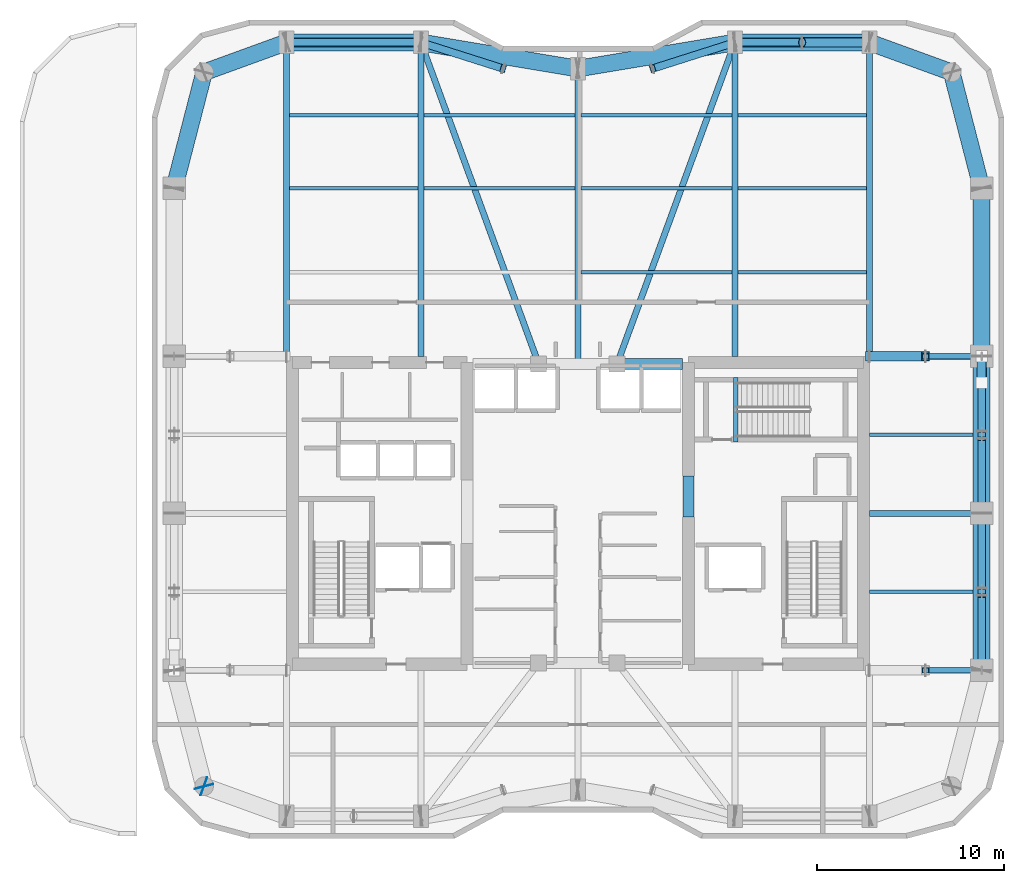
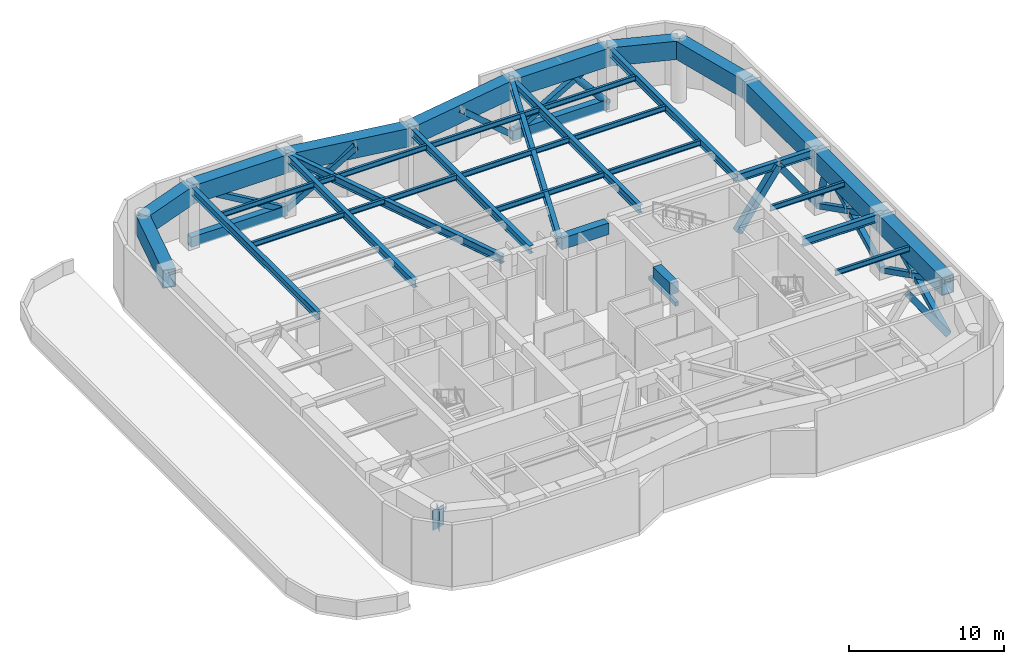
# One storey, part 2 of 16: 35 beams, 17 members, 2 plates.
"""IFC4 building model written with IfcOpenShell, lengths in metres."""

from ifc_helpers import new_model, si_unit, direction, frame, origin, origin_2d, place, context, subcontext, project, spatial, rectangle, hollow_rectangle, hollow_circle, i_section, extrude, material, layer, layer_set, material_profile, profile_set, type_object, element, save


model = new_model("IFC4")

# Units and contexts
model_context = context("Model", 3, precision=1e-05, world=origin(), true_north=direction((0.0, 1.0)))
body_context = subcontext(model_context, "Body", "Model", "MODEL_VIEW")
ifc_project = project(units=[si_unit("LENGTHUNIT", "METRE"), si_unit("AREAUNIT", "SQUARE_METRE"), si_unit("VOLUMEUNIT", "CUBIC_METRE"), si_unit("PLANEANGLEUNIT", "RADIAN"), si_unit("MASSUNIT", "GRAM", prefix="KILO")], contexts=[model_context])

# Site, building, storey
site_placement = place(None, origin())
site = spatial("IfcSite", under=ifc_project, at=site_placement, CompositionType="ELEMENT")
building_placement = place(site_placement, origin())
building = spatial("IfcBuilding", under=site, at=building_placement, Name="Kiyonajd Concourse Tower", CompositionType="ELEMENT")
storey_placement = place(building_placement, frame((0.0, 0.0, 209.699951171875)))
storey = spatial("IfcBuildingStorey", under=building, at=storey_placement, Name="L53", CompositionType="ELEMENT", Elevation=209.699951171875)

# Beams
ifc_material_1 = material(Name="Concrete C60/75", Category="concrete")
ifc_material_profile_1 = material_profile(ifc_material_1, rectangle(XDim=0.60009765625, YDim=0.89990234375, at=origin_2d()), Name="RCBM-600x900")
ifc_profile_set_1 = profile_set([ifc_material_profile_1], Name="Concrete C60/75")
beam_type_1 = type_object("IfcBeamType", Name="BM-COUP-900", PredefinedType="LINTEL", material=ifc_profile_set_1)
beam_1_placement = place(storey_placement, frame((50.10009765625, 44.0, 4.429931640625), z_axis=(1.0, 0.0, 0.0), x_axis=(0.0, 1.0, 0.0)))
element("IfcBeam", 1, at=beam_1_placement, inside=storey, type_object=beam_type_1, Name="L53 Core Coupling Beam N3", PredefinedType="LINTEL", context=body_context, shape_type="SweptSolid", body=[
    extrude(rectangle(XDim=0.60009765625, YDim=0.89990234375, at=origin_2d()), origin(), (0.0, 0.0, 1.0), 3.5),
])
beam_2_placement = place(storey_placement, frame((53.925048828125, 35.800048828125, 4.429931640625), z_axis=(0.0, 1.0, 0.0), x_axis=(-1.0, 0.0, 0.0)))
element("IfcBeam", 2, at=beam_2_placement, inside=storey, type_object=beam_type_1, Name="L53 East Core Throat Coupling Lintel", PredefinedType="LINTEL", context=body_context, shape_type="SweptSolid", body=[
    extrude(rectangle(XDim=0.60009765625, YDim=0.89990234375, at=origin_2d()), origin(), (0.0, 0.0, 1.0), 2.199951171875),
])
ifc_material_2 = material(Name="Steel ASTM A992 Grade 50", Category="steel")
ifc_material_profile_2 = material_profile(ifc_material_2, i_section(OverallWidth=0.180908203125, OverallDepth=0.4169921875, WebThickness=0.010986328125, FlangeThickness=0.018310546875, at=origin_2d()), Name="W410X85")
ifc_profile_set_2 = profile_set([ifc_material_profile_2], Name="Steel ASTM A992 Grade 50")
beam_type_2 = type_object("IfcBeamType", Name="BM-JST-410", PredefinedType="JOIST", material=ifc_profile_set_2)
beam_3_placement = place(storey_placement, frame((48.162109375, 48.89990234375, 4.671630859375), z_axis=(1.0, 0.0, 0.0), x_axis=(0.0, 1.0, 0.0)))
element("IfcBeam", 3, at=beam_3_placement, inside=storey, type_object=beam_type_2, Name="L53 Secondary Floor Joist", PredefinedType="JOIST", context=body_context, shape_type="SweptSolid", body=[
    extrude(i_section(OverallWidth=0.180908203125, OverallDepth=0.4169921875, WebThickness=0.010986328125, FlangeThickness=0.018310546875, at=origin_2d()), origin(), (0.0, 0.0, 1.0), 8.075927734375),
])
for number, where, z_axis, x_axis, name in (
    (4, (56.56201171875, 48.89990234375, 4.671630859375), (1.0, 0.0, 0.0), (0.0, 1.0, 0.0), "L53 Secondary Floor Joist"),
    (5, (32.56201171875, 53.39990234375, 4.671630859375), (1.0, 0.0, 0.0), (0.0, 1.0, 0.0), "L53 Secondary Floor Joist"),
):
    element("IfcBeam", number, at=place(storey_placement, frame(where, z_axis=z_axis, x_axis=x_axis)), inside=storey, type_object=beam_type_2, Name=name, PredefinedType="JOIST", context=body_context, shape_type="SweptSolid", body=[
        extrude(i_section(OverallWidth=0.180908203125, OverallDepth=0.4169921875, WebThickness=0.010986328125, FlangeThickness=0.018310546875, at=origin_2d()), origin(), (0.0, 0.0, 1.0), 6.8759765625),
    ])
for number, where, z_axis, x_axis, name in (
    (6, (39.761962890625, 53.39990234375, 4.671630859375), (1.0, 0.0, 0.0), (0.0, 1.0, 0.0), "L53 Secondary Floor Joist"),
    (7, (48.162109375, 53.39990234375, 4.671630859375), (1.0, 0.0, 0.0), (0.0, 1.0, 0.0), "L53 Secondary Floor Joist"),
):
    element("IfcBeam", number, at=place(storey_placement, frame(where, z_axis=z_axis, x_axis=x_axis)), inside=storey, type_object=beam_type_2, Name=name, PredefinedType="JOIST", context=body_context, shape_type="SweptSolid", body=[
        extrude(i_section(OverallWidth=0.180908203125, OverallDepth=0.4169921875, WebThickness=0.010986328125, FlangeThickness=0.018310546875, at=origin_2d()), origin(), (0.0, 0.0, 1.0), 8.075927734375),
    ])
for number, where, z_axis, x_axis, name in (
    (8, (56.56201171875, 53.39990234375, 4.671630859375), (1.0, 0.0, 0.0), (0.0, 1.0, 0.0), "L53 Secondary Floor Joist"),
    (9, (32.56201171875, 57.300048828125, 4.671630859375), (1.0, 0.0, 0.0), (0.0, 1.0, 0.0), "L53 Secondary Floor Joist"),
):
    element("IfcBeam", number, at=place(storey_placement, frame(where, z_axis=z_axis, x_axis=x_axis)), inside=storey, type_object=beam_type_2, Name=name, PredefinedType="JOIST", context=body_context, shape_type="SweptSolid", body=[
        extrude(i_section(OverallWidth=0.180908203125, OverallDepth=0.4169921875, WebThickness=0.010986328125, FlangeThickness=0.018310546875, at=origin_2d()), origin(), (0.0, 0.0, 1.0), 6.8759765625),
    ])
for number, where, z_axis, x_axis, name in (
    (10, (39.761962890625, 57.300048828125, 4.671630859375), (1.0, 0.0, 0.0), (0.0, 1.0, 0.0), "L53 Secondary Floor Joist"),
    (11, (48.162109375, 57.300048828125, 4.671630859375), (1.0, 0.0, 0.0), (0.0, 1.0, 0.0), "L53 Secondary Floor Joist"),
):
    element("IfcBeam", number, at=place(storey_placement, frame(where, z_axis=z_axis, x_axis=x_axis)), inside=storey, type_object=beam_type_2, Name=name, PredefinedType="JOIST", context=body_context, shape_type="SweptSolid", body=[
        extrude(i_section(OverallWidth=0.180908203125, OverallDepth=0.4169921875, WebThickness=0.010986328125, FlangeThickness=0.018310546875, at=origin_2d()), origin(), (0.0, 0.0, 1.0), 8.075927734375),
    ])
beam_4_placement = place(storey_placement, frame((56.56201171875, 57.300048828125, 4.671630859375), z_axis=(1.0, 0.0, 0.0), x_axis=(0.0, 1.0, 0.0)))
element("IfcBeam", 12, at=beam_4_placement, inside=storey, type_object=beam_type_2, Name="L53 Secondary Floor Joist", PredefinedType="JOIST", context=body_context, shape_type="SweptSolid", body=[
    extrude(i_section(OverallWidth=0.180908203125, OverallDepth=0.4169921875, WebThickness=0.010986328125, FlangeThickness=0.018310546875, at=origin_2d()), origin(), (0.0, 0.0, 1.0), 6.8759765625),
])
for number, where, z_axis, x_axis, name in (
    (13, (63.60009765625, 31.800048828125, 4.671630859375), (1.0, 0.0, 0.0), (0.0, 1.0, 0.0), "L53 East Secondary Floor Joist"),
    (14, (63.60009765625, 40.199951171875, 4.671630859375), (1.0, 0.0, 0.0), (0.0, 1.0, 0.0), "L53 East Secondary Floor Joist"),
):
    element("IfcBeam", number, at=place(storey_placement, frame(where, z_axis=z_axis, x_axis=x_axis)), inside=storey, type_object=beam_type_2, Name=name, PredefinedType="JOIST", context=body_context, shape_type="SweptSolid", body=[
        extrude(i_section(OverallWidth=0.180908203125, OverallDepth=0.4169921875, WebThickness=0.010986328125, FlangeThickness=0.018310546875, at=origin_2d()), origin(), (0.0, 0.0, 1.0), 5.5498046875),
    ])
ifc_material_3 = material(Name="Concrete C50/60", Category="concrete")
ifc_material_profile_3 = material_profile(ifc_material_3, rectangle(XDim=0.239990234375, YDim=0.320068359375, at=origin_2d()), Name="RCBM-240x320")
ifc_profile_set_3 = profile_set([ifc_material_profile_3], Name="Concrete C50/60")
beam_type_3 = type_object("IfcBeamType", Name="BM-LNT-250", PredefinedType="LINTEL", material=ifc_profile_set_3)
beam_5_placement = place(storey_placement, frame((56.4599609375, 39.820068359375, -0.159912109375), z_axis=(0.0, 1.0, 0.0), x_axis=(-1.0, 0.0, 0.0)))
element("IfcBeam", 15, at=beam_5_placement, inside=storey, type_object=beam_type_3, Name="L53 Stair ST3 Threshold Support Beam", PredefinedType="LINTEL", context=body_context, shape_type="SweptSolid", body=[
    extrude(rectangle(XDim=0.239990234375, YDim=0.320068359375, at=origin_2d()), origin(), (0.0, 0.0, 1.0), 3.4599609375),
])
ifc_material_profile_4 = material_profile(ifc_material_2, i_section(OverallWidth=0.326904296875, OverallDepth=0.6220703125, WebThickness=0.015380859375, FlangeThickness=0.0244140625, at=origin_2d()), Name="W610X195")
ifc_profile_set_4 = profile_set([ifc_material_profile_4], Name="Steel ASTM A992 Grade 50")
beam_type_4 = type_object("IfcBeamType", Name="BM-TWR-610A", PredefinedType="BEAM", material=ifc_profile_set_4)
for number, where, z_axis, x_axis, name in (
    (16, (39.60009765625, 61.199951171875, 4.569091796875), (0.343925269715, -0.938997022813, 0.0), (0.938997022813, 0.343925269715, 0.0), "L53 Core Tie Girder"),
    (17, (50.10009765625, 44.0, 4.569091796875), (0.343925269715, 0.938997022813, 0.0), (-0.938997022813, 0.343925269715, 0.0), "L53 Core Tie Girder"),
):
    element("IfcBeam", number, at=place(storey_placement, frame(where, z_axis=z_axis, x_axis=x_axis)), inside=storey, type_object=beam_type_4, Name=name, PredefinedType="BEAM", context=body_context, shape_type="SweptSolid", body=[
        extrude(i_section(OverallWidth=0.326904296875, OverallDepth=0.6220703125, WebThickness=0.015380859375, FlangeThickness=0.0244140625, at=origin_2d()), origin(), (0.0, 0.0, 1.0), 18.3173828125),
    ])
ifc_material_profile_5 = material_profile(ifc_material_2, i_section(OverallWidth=0.323974609375, OverallDepth=0.611083984375, WebThickness=0.0126953125, FlangeThickness=0.01904296875, at=origin_2d()), Name="W610X155")
ifc_profile_set_5 = profile_set([ifc_material_profile_5], Name="Steel ASTM A992 Grade 50")
beam_type_5 = type_object("IfcBeamType", Name="BM-TWR-610B", PredefinedType="BEAM", material=ifc_profile_set_5)
for number, where, z_axis, x_axis, name in (
    (18, (32.39990234375, 44.39990234375, 4.574462890625), (0.0, 1.0, 0.0), (-1.0, 0.0, 0.0), "L53 North Lease Girder"),
    (19, (39.60009765625, 44.39990234375, 4.574462890625), (0.0, 1.0, 0.0), (-1.0, 0.0, 0.0), "L53 North Lease Girder"),
    (20, (56.39990234375, 44.39990234375, 4.574462890625), (0.0, 1.0, 0.0), (-1.0, 0.0, 0.0), "L53 North Lease Girder"),
    (21, (63.60009765625, 44.39990234375, 4.574462890625), (0.0, 1.0, 0.0), (-1.0, 0.0, 0.0), "L53 North Lease Girder"),
):
    element("IfcBeam", number, at=place(storey_placement, frame(where, z_axis=z_axis, x_axis=x_axis)), inside=storey, type_object=beam_type_5, Name=name, PredefinedType="BEAM", context=body_context, shape_type="SweptSolid", body=[
        extrude(i_section(OverallWidth=0.323974609375, OverallDepth=0.611083984375, WebThickness=0.0126953125, FlangeThickness=0.01904296875, at=origin_2d()), origin(), (0.0, 0.0, 1.0), 16.800048828125),
    ])
beam_6_placement = place(storey_placement, frame((48.0, 44.0, 4.574462890625), z_axis=(0.0, 1.0, 0.0), x_axis=(-1.0, 0.0, 0.0)))
element("IfcBeam", 22, at=beam_6_placement, inside=storey, type_object=beam_type_5, Name="L53 North Ribbon Girder", PredefinedType="BEAM", context=body_context, shape_type="SweptSolid", body=[
    extrude(i_section(OverallWidth=0.323974609375, OverallDepth=0.611083984375, WebThickness=0.0126953125, FlangeThickness=0.01904296875, at=origin_2d()), origin(), (0.0, 0.0, 1.0), 15.800048828125),
])
for number, where, z_axis, x_axis, name in (
    (23, (63.60009765625, 36.0, 4.574462890625), (1.0, 0.0, 0.0), (0.0, 1.0, 0.0), "L53 East Lease Girder"),
    (24, (63.60009765625, 44.39990234375, 4.574462890625), (1.0, 0.0, 0.0), (0.0, 1.0, 0.0), "L53 East Lease Girder"),
):
    element("IfcBeam", number, at=place(storey_placement, frame(where, z_axis=z_axis, x_axis=x_axis)), inside=storey, type_object=beam_type_5, Name=name, PredefinedType="BEAM", context=body_context, shape_type="SweptSolid", body=[
        extrude(i_section(OverallWidth=0.323974609375, OverallDepth=0.611083984375, WebThickness=0.0126953125, FlangeThickness=0.01904296875, at=origin_2d()), origin(), (0.0, 0.0, 1.0), 6.0),
    ])
ifc_material_4 = material(Name="Steel ASTM A572 Grade 50", Category="steel")
ifc_material_profile_6 = material_profile(ifc_material_4, hollow_rectangle(XDim=0.89990234375, YDim=1.449951171875, WallThickness=0.074951171875, at=origin_2d()), Name="BOX-1450x900x75")
ifc_profile_set_6 = profile_set([ifc_material_profile_6], Name="Steel ASTM A572 Grade 50")
beam_type_6 = type_object("IfcBeamType", Name="BM-XFER-1800", PredefinedType="BEAM", material=ifc_profile_set_6)
for number, where, z_axis, x_axis, name in (
    (25, (69.60009765625, 27.60009765625, 4.155029296875), (0.0, 1.0, 0.0), (-1.0, 0.0, 0.0), "L53 Perimeter Bundled Tube Spandrel"),
    (26, (69.60009765625, 36.0, 4.155029296875), (0.0, 1.0, 0.0), (-1.0, 0.0, 0.0), "L53 Perimeter Bundled Tube Spandrel"),
):
    element("IfcBeam", number, at=place(storey_placement, frame(where, z_axis=z_axis, x_axis=x_axis)), inside=storey, type_object=beam_type_6, Name=name, PredefinedType="BEAM", context=body_context, shape_type="SweptSolid", body=[
        extrude(hollow_rectangle(XDim=0.89990234375, YDim=1.449951171875, WallThickness=0.074951171875, at=origin_2d()), origin(), (0.0, 0.0, 1.0), 8.39990234375),
    ])
beam_7_placement = place(storey_placement, frame((69.60009765625, 44.39990234375, 4.155029296875), z_axis=(0.0, 1.0, 0.0), x_axis=(-1.0, 0.0, 0.0)))
element("IfcBeam", 27, at=beam_7_placement, inside=storey, type_object=beam_type_6, Name="L53 Perimeter Bundled Tube Spandrel", PredefinedType="BEAM", context=body_context, shape_type="SweptSolid", body=[
    extrude(hollow_rectangle(XDim=0.89990234375, YDim=1.449951171875, WallThickness=0.074951171875, at=origin_2d()), origin(), (0.0, 0.0, 1.0), 9.0),
])
beam_8_placement = place(storey_placement, frame((69.60009765625, 53.39990234375, 4.155029296875), z_axis=(-0.249884937687, 0.968275538221, 0.0), x_axis=(-0.968275538221, -0.249884937687, 0.0)))
element("IfcBeam", 28, at=beam_8_placement, inside=storey, type_object=beam_type_6, Name="L53 Perimeter Bundled Tube Spandrel", PredefinedType="BEAM", context=body_context, shape_type="SweptSolid", body=[
    extrude(hollow_rectangle(XDim=0.89990234375, YDim=1.449951171875, WallThickness=0.074951171875, at=origin_2d()), origin(), (0.0, 0.0, 1.0), 6.4033203125),
])
beam_9_placement = place(storey_placement, frame((68.0, 59.60009765625, 4.155029296875), z_axis=(-0.939801036019, 0.341722127901, 0.0), x_axis=(-0.341722127901, -0.939801036019, 0.0)))
element("IfcBeam", 29, at=beam_9_placement, inside=storey, type_object=beam_type_6, Name="L53 Perimeter Bundled Tube Spandrel", PredefinedType="BEAM", context=body_context, shape_type="SweptSolid", body=[
    extrude(hollow_rectangle(XDim=0.89990234375, YDim=1.449951171875, WallThickness=0.074951171875, at=origin_2d()), origin(), (0.0, 0.0, 1.0), 4.681640625),
])
beam_10_placement = place(storey_placement, frame((63.60009765625, 61.199951171875, 4.155029296875), z_axis=(-1.0, 0.0, 0.0), x_axis=(0.0, -1.0, 0.0)))
element("IfcBeam", 30, at=beam_10_placement, inside=storey, type_object=beam_type_6, Name="L53 Perimeter Bundled Tube Spandrel", PredefinedType="BEAM", context=body_context, shape_type="SweptSolid", body=[
    extrude(hollow_rectangle(XDim=0.89990234375, YDim=1.449951171875, WallThickness=0.074951171875, at=origin_2d()), origin(), (0.0, 0.0, 1.0), 7.2001953125),
])
for number, where, z_axis, x_axis, name in (
    (31, (56.39990234375, 61.199951171875, 4.155029296875), (-0.986395473479, -0.164389689151, 0.0), (0.164389689151, -0.986395473479, 0.0), "L53 Perimeter Bundled Tube Spandrel"),
    (32, (48.0, 59.800048828125, 4.155029296875), (-0.986395473479, 0.164389689151, 0.0), (-0.164389689151, -0.986395473479, 0.0), "L53 Perimeter Bundled Tube Spandrel"),
):
    element("IfcBeam", number, at=place(storey_placement, frame(where, z_axis=z_axis, x_axis=x_axis)), inside=storey, type_object=beam_type_6, Name=name, PredefinedType="BEAM", context=body_context, shape_type="SweptSolid", body=[
        extrude(hollow_rectangle(XDim=0.89990234375, YDim=1.449951171875, WallThickness=0.074951171875, at=origin_2d()), origin(), (0.0, 0.0, 1.0), 8.515869140625),
    ])
beam_11_placement = place(storey_placement, frame((39.60009765625, 61.199951171875, 4.155029296875), z_axis=(-1.0, 0.0, 0.0), x_axis=(0.0, -1.0, 0.0)))
element("IfcBeam", 33, at=beam_11_placement, inside=storey, type_object=beam_type_6, Name="L53 Perimeter Bundled Tube Spandrel", PredefinedType="BEAM", context=body_context, shape_type="SweptSolid", body=[
    extrude(hollow_rectangle(XDim=0.89990234375, YDim=1.449951171875, WallThickness=0.074951171875, at=origin_2d()), origin(), (0.0, 0.0, 1.0), 7.2001953125),
])
beam_12_placement = place(storey_placement, frame((32.39990234375, 61.199951171875, 4.155029296875), z_axis=(-0.939801036019, -0.341722127901, 0.0), x_axis=(0.341722127901, -0.939801036019, 0.0)))
element("IfcBeam", 34, at=beam_12_placement, inside=storey, type_object=beam_type_6, Name="L53 Perimeter Bundled Tube Spandrel", PredefinedType="BEAM", context=body_context, shape_type="SweptSolid", body=[
    extrude(hollow_rectangle(XDim=0.89990234375, YDim=1.449951171875, WallThickness=0.074951171875, at=origin_2d()), origin(), (0.0, 0.0, 1.0), 4.681640625),
])
beam_13_placement = place(storey_placement, frame((28.0, 59.60009765625, 4.155029296875), z_axis=(-0.249884937687, -0.968275538221, 0.0), x_axis=(0.968275538221, -0.249884937687, 0.0)))
element("IfcBeam", 35, at=beam_13_placement, inside=storey, type_object=beam_type_6, Name="L53 Perimeter Bundled Tube Spandrel", PredefinedType="BEAM", context=body_context, shape_type="SweptSolid", body=[
    extrude(hollow_rectangle(XDim=0.89990234375, YDim=1.449951171875, WallThickness=0.074951171875, at=origin_2d()), origin(), (0.0, 0.0, 1.0), 6.4033203125),
])

# Members
ifc_material_profile_7 = material_profile(ifc_material_4, hollow_rectangle(XDim=0.5, YDim=0.800048828125, WallThickness=0.044921875, at=origin_2d()), Name="BOX-800x500x45")
ifc_profile_set_7 = profile_set([ifc_material_profile_7], Name="Steel ASTM A572 Grade 50")
member_type_1 = type_object("IfcMemberType", Name="MB-BT-CHORD", PredefinedType="CHORD", material=ifc_profile_set_7)
for number, where, z_axis, x_axis, name in (
    (36, (32.39990234375, 61.199951171875, 0.300048828125), (1.0, 0.0, 0.0), (0.0, 1.0, 0.0), "L53 Belt Truss Bottom Chord 03"),
    (37, (56.39990234375, 61.199951171875, 0.300048828125), (1.0, 0.0, 0.0), (0.0, 1.0, 0.0), "L53 Belt Truss Bottom Chord 04"),
):
    element("IfcMember", number, at=place(storey_placement, frame(where, z_axis=z_axis, x_axis=x_axis)), inside=storey, type_object=member_type_1, Name=name, PredefinedType="CHORD", context=body_context, shape_type="SweptSolid", body=[
        extrude(hollow_rectangle(XDim=0.5, YDim=0.800048828125, WallThickness=0.044921875, at=origin_2d()), origin(), (0.0, 0.0, 1.0), 7.2001953125),
    ])
ifc_material_5 = material(Name="Steel ASTM A500 Grade C", Category="steel")
ifc_material_profile_8 = material_profile(ifc_material_5, hollow_rectangle(XDim=0.39990234375, YDim=0.39990234375, WallThickness=0.02001953125, at=origin_2d()), Name="HSS-400x400x20")
ifc_profile_set_8 = profile_set([ifc_material_profile_8], Name="Steel ASTM A500 Grade C")
member_type_2 = type_object("IfcMemberType", Name="MB-BT-DIAG", PredefinedType="BRACE", material=ifc_profile_set_8)
member_1_placement = place(storey_placement, frame((32.39990234375, 61.199951171875, 4.530029296875), z_axis=(0.86221816933, 0.0, -0.506537094867), x_axis=(0.0, 1.0, 0.0)))
element("IfcMember", 38, at=member_1_placement, inside=storey, type_object=member_type_2, Name="L53 Outrigger and Belt Truss Member 13", PredefinedType="BRACE", context=body_context, shape_type="SweptSolid", body=[
    extrude(hollow_rectangle(XDim=0.39990234375, YDim=0.39990234375, WallThickness=0.02001953125, at=origin_2d()), origin(), (0.0, 0.0, 1.0), 8.350830078125),
])
for number, where, z_axis, x_axis, name in (
    (39, (39.60009765625, 61.199951171875, 0.300048828125), (0.702644651212, -0.223558119523, 0.675508890628), (0.303190562272, 0.952929946507, 0.0), "L53 Outrigger and Belt Truss Member 14"),
    (40, (52.0, 59.800048828125, 4.530029296875), (0.702644651212, 0.223558119523, -0.675508890628), (-0.303190562272, 0.952929946507, 0.0), "L53 Outrigger and Belt Truss Member 15"),
):
    element("IfcMember", number, at=place(storey_placement, frame(where, z_axis=z_axis, x_axis=x_axis)), inside=storey, type_object=member_type_2, Name=name, PredefinedType="BRACE", context=body_context, shape_type="SweptSolid", body=[
        extrude(hollow_rectangle(XDim=0.39990234375, YDim=0.39990234375, WallThickness=0.02001953125, at=origin_2d()), origin(), (0.0, 0.0, 1.0), 6.261962890625),
    ])
member_2_placement = place(storey_placement, frame((56.39990234375, 61.199951171875, 0.300048828125), z_axis=(0.86221816933, 0.0, 0.506537094867), x_axis=(0.0, 1.0, 0.0)))
element("IfcMember", 41, at=member_2_placement, inside=storey, type_object=member_type_2, Name="L53 Outrigger and Belt Truss Member 16", PredefinedType="BRACE", context=body_context, shape_type="SweptSolid", body=[
    extrude(hollow_rectangle(XDim=0.39990234375, YDim=0.39990234375, WallThickness=0.02001953125, at=origin_2d()), origin(), (0.0, 0.0, 1.0), 8.350830078125),
])
member_3_placement = place(storey_placement, frame((69.60009765625, 27.60009765625, 4.530029296875), z_axis=(0.0, 0.893146359282, -0.449766140235), x_axis=(-1.0, 0.0, 0.0)))
element("IfcMember", 42, at=member_3_placement, inside=storey, type_object=member_type_2, Name="L53 Belt Truss Continuous X Brace E1", PredefinedType="BRACE", context=body_context, shape_type="SweptSolid", body=[
    extrude(hollow_rectangle(XDim=0.39990234375, YDim=0.39990234375, WallThickness=0.02001953125, at=origin_2d()), origin(), (0.0, 0.0, 1.0), 9.40478515625),
])
for number, where, z_axis, x_axis, name in (
    (43, (69.60009765625, 27.60009765625, 0.300048828125), (0.0, 0.893124207776, 0.449810126036), (-1.0, 0.0, 0.0), "L53 Belt Truss Split X Brace Lower E1"),
    (44, (69.60009765625, 32.00537109375, 2.5185546875), (0.0, 0.893157179671, 0.449744652445), (-1.0, 0.0, 0.0), "L53 Belt Truss Split X Brace Upper E1"),
):
    element("IfcMember", number, at=place(storey_placement, frame(where, z_axis=z_axis, x_axis=x_axis)), inside=storey, type_object=member_type_2, Name=name, PredefinedType="BRACE", context=body_context, shape_type="SweptSolid", body=[
        extrude(hollow_rectangle(XDim=0.39990234375, YDim=0.39990234375, WallThickness=0.02001953125, at=origin_2d()), origin(), (0.0, 0.0, 1.0), 4.472412109375),
    ])
member_4_placement = place(storey_placement, frame((69.60009765625, 36.0, 4.530029296875), z_axis=(0.0, 0.893146359282, -0.449766140235), x_axis=(-1.0, 0.0, 0.0)))
element("IfcMember", 45, at=member_4_placement, inside=storey, type_object=member_type_2, Name="L53 Belt Truss Continuous X Brace E2", PredefinedType="BRACE", context=body_context, shape_type="SweptSolid", body=[
    extrude(hollow_rectangle(XDim=0.39990234375, YDim=0.39990234375, WallThickness=0.02001953125, at=origin_2d()), origin(), (0.0, 0.0, 1.0), 9.40478515625),
])
member_5_placement = place(storey_placement, frame((69.60009765625, 36.0, 0.300048828125), z_axis=(0.0, 0.893135251835, 0.449788196744), x_axis=(-1.0, 0.0, 0.0)))
element("IfcMember", 46, at=member_5_placement, inside=storey, type_object=member_type_2, Name="L53 Belt Truss Split X Brace Lower E2", PredefinedType="BRACE", context=body_context, shape_type="SweptSolid", body=[
    extrude(hollow_rectangle(XDim=0.39990234375, YDim=0.39990234375, WallThickness=0.02001953125, at=origin_2d()), origin(), (0.0, 0.0, 1.0), 4.47265625),
])
member_6_placement = place(storey_placement, frame((69.60009765625, 40.405517578125, 2.5185546875), z_axis=(0.0, 0.893146137479, 0.449766580691), x_axis=(-1.0, 0.0, 0.0)))
element("IfcMember", 47, at=member_6_placement, inside=storey, type_object=member_type_2, Name="L53 Belt Truss Split X Brace Upper E2", PredefinedType="BRACE", context=body_context, shape_type="SweptSolid", body=[
    extrude(hollow_rectangle(XDim=0.39990234375, YDim=0.39990234375, WallThickness=0.02001953125, at=origin_2d()), origin(), (0.0, 0.0, 1.0), 4.47216796875),
])
ifc_material_profile_9 = material_profile(ifc_material_5, hollow_rectangle(XDim=0.300048828125, YDim=0.449951171875, WallThickness=0.02197265625, at=origin_2d()), Name="HSS-450x300x22")
ifc_profile_set_9 = profile_set([ifc_material_profile_9], Name="Steel ASTM A500 Grade C")
member_type_3 = type_object("IfcMemberType", Name="MB-OT-DIAG", PredefinedType="BRACE", material=ifc_profile_set_9)
for number, where, z_axis, x_axis, name in (
    (48, (66.60009765625, 27.60009765625, 4.530029296875), (0.57850054233, 0.0, -0.815681998406), (0.0, 1.0, 0.0), "L53 Outrigger and Belt Truss Member 06"),
    (49, (66.60009765625, 44.39990234375, 4.530029296875), (0.57850054233, 0.0, -0.815681998406), (0.0, 1.0, 0.0), "L53 Outrigger and Belt Truss Member 08"),
):
    element("IfcMember", number, at=place(storey_placement, frame(where, z_axis=z_axis, x_axis=x_axis)), inside=storey, type_object=member_type_3, Name=name, PredefinedType="BRACE", context=body_context, shape_type="SweptSolid", body=[
        extrude(hollow_rectangle(XDim=0.300048828125, YDim=0.449951171875, WallThickness=0.02197265625, at=origin_2d()), origin(), (0.0, 0.0, 1.0), 5.185791015625),
    ])
ifc_material_profile_10 = material_profile(ifc_material_4, hollow_rectangle(XDim=0.5, YDim=0.5, WallThickness=0.02490234375, at=origin_2d()), Name="HSS-500x500x25")
ifc_profile_set_10 = profile_set([ifc_material_profile_10], Name="Steel ASTM A572 Grade 50")
member_type_4 = type_object("IfcMemberType", Name="MB-OT-STRUT", PredefinedType="STRUT", material=ifc_profile_set_10)
member_7_placement = place(storey_placement, frame((63.60009765625, 44.39990234375, 0.300048828125), z_axis=(0.57850054233, 0.0, 0.815681998406), x_axis=(0.0, 1.0, 0.0)))
element("IfcMember", 50, at=member_7_placement, inside=storey, type_object=member_type_4, Name="L53 Outrigger and Belt Truss Member 07", PredefinedType="STRUT", context=body_context, shape_type="SweptSolid", body=[
    extrude(hollow_rectangle(XDim=0.5, YDim=0.5, WallThickness=0.02490234375, at=origin_2d()), origin(), (0.0, 0.0, 1.0), 5.185791015625),
])
ifc_material_profile_11 = material_profile(ifc_material_5, hollow_circle(Radius=0.25390625, WallThickness=0.02197265625, at=origin_2d()), Name="CHS-508x22")
ifc_profile_set_11 = profile_set([ifc_material_profile_11], Name="Steel ASTM A500 Grade C")
member_type_5 = type_object("IfcMemberType", Name="MB-PB-MID", PredefinedType="BRACE", material=ifc_profile_set_11)
member_8_placement = place(storey_placement, frame((63.60009765625, 61.199951171875, 0.300048828125), z_axis=(-0.648130561025, 0.0, 0.761529235069), x_axis=(0.0, -1.0, 0.0)))
element("IfcMember", 51, at=member_8_placement, inside=storey, type_object=member_type_5, Name="L53 Upper Zone Hollow Tube Brace PBN", PredefinedType="BRACE", context=body_context, shape_type="SweptSolid", body=[
    extrude(hollow_circle(Radius=0.25390625, WallThickness=0.02197265625, at=origin_2d()), origin(), (0.0, 0.0, 1.0), 5.5546875),
])
member_9_placement = place(storey_placement, frame((69.60009765625, 44.39990234375, 0.300048828125), z_axis=(0.0, -0.314188699913, 0.949360553661), x_axis=(1.0, 0.0, 0.0)))
element("IfcMember", 52, at=member_9_placement, inside=storey, type_object=member_type_5, Name="L53 Upper Zone Hollow Tube Brace PBE", PredefinedType="BRACE", context=body_context, shape_type="SweptSolid", body=[
    extrude(hollow_circle(Radius=0.25390625, WallThickness=0.02197265625, at=origin_2d()), origin(), (0.0, 0.0, 1.0), 4.45556640625),
])

# Plates
ifc_layer = layer(ifc_material_4, 0.031982421875)
ifc_layer_set = layer_set([ifc_layer], Name="Steel ASTM A572 Grade 50")
plate_type = type_object("IfcPlateType", Name="PL-CAP-540", PredefinedType="USERDEFINED", material=ifc_layer_set)
for number, where, z_axis, x_axis, name in (
    (53, (28.002685546875, 21.389404296875, 3.35986328125), (0.0, 0.0, 1.0), (0.249873048837, -0.968278606324, 0.0), "L53 Welded Box Girder End Cap"),
    (54, (27.98974609375, 21.40380859375, 3.35986328125), (0.0, 0.0, 1.0), (-0.939811951086, 0.341692107891, 0.0), "L53 Welded Box Girder End Cap"),
):
    element("IfcPlate", number, at=place(storey_placement, frame(where, z_axis=z_axis, x_axis=x_axis)), inside=storey, type_object=plate_type, Name=name, ObjectType="CAP PLATE", PredefinedType="USERDEFINED", context=body_context, shape_type="SweptSolid", body=[
        extrude(rectangle(XDim=0.035888671875, YDim=1.02001953125, at=origin_2d()), origin(), (0.0, 0.0, 1.0), 1.590087890625),
    ])

save(model, "model.ifc")
